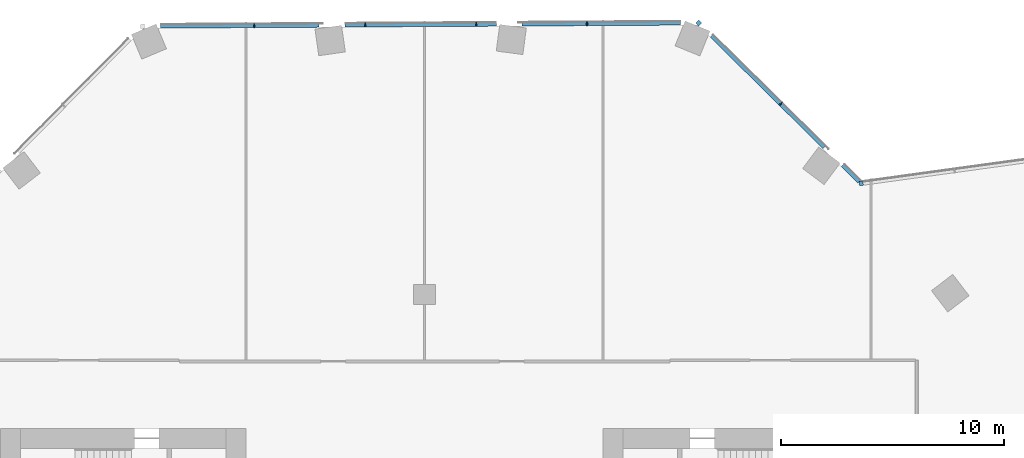
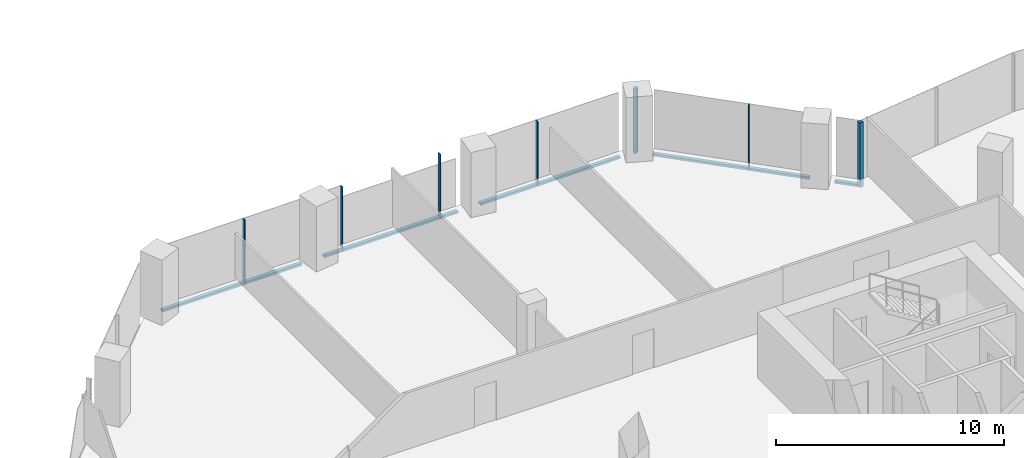
# One storey, part 10 of 27: 12 members, 3 elements without a shape of their own.
"""IFC4 building model written with IfcOpenShell, lengths in metres."""

from ifc_helpers import new_model, si_unit, direction, frame, origin, origin_2d, place, context, subcontext, project, spatial, rectangle, extrude, material, material_profile, profile_set, type_object, element, aggregate, save


model = new_model("IFC4")

# Units and contexts
model_context = context("Model", 3, precision=1e-05, world=origin(), true_north=direction((0.0, 1.0)))
body_context = subcontext(model_context, "Body", "Model", "MODEL_VIEW")
ifc_project = project(units=[si_unit("LENGTHUNIT", "METRE"), si_unit("AREAUNIT", "SQUARE_METRE"), si_unit("VOLUMEUNIT", "CUBIC_METRE"), si_unit("PLANEANGLEUNIT", "RADIAN"), si_unit("MASSUNIT", "GRAM", prefix="KILO")], contexts=[model_context])

# Site, building, storey
site_placement = place(None, origin())
site = spatial("IfcSite", under=ifc_project, at=site_placement, CompositionType="ELEMENT")
building_placement = place(site_placement, origin())
building = spatial("IfcBuilding", under=site, at=building_placement, Name="Orlundy Tower", CompositionType="ELEMENT")
storey_placement = place(building_placement, frame((0.0, 0.0, 202.60009765625)))
storey = spatial("IfcBuildingStorey", under=building, at=storey_placement, Name="L53", CompositionType="ELEMENT", Elevation=202.60009765625)

# Curtain wall, member
ifc_material_1 = material(Name="Aluminium bronze anodised", Category="aluminium")
curtain_wall_type = type_object("IfcCurtainWallType", Name="CW1 wall", PredefinedType="NOTDEFINED", material=ifc_material_1)
curtain_wall_1_placement = place(storey_placement, origin())
curtain_wall_1 = element("IfcCurtainWall", 1, at=curtain_wall_1_placement, inside=storey, type_object=curtain_wall_type, Name="CW1 run 05", PredefinedType="NOTDEFINED")
ifc_material_2 = material(Name="Aluminium bronze anodised", Category="aluminium")
ifc_material_profile_1 = material_profile(ifc_material_2, rectangle(XDim=0.179931640625, YDim=0.179931640625, at=origin_2d()), Name="CW1 corner post 180x180")
ifc_profile_set_1 = profile_set([ifc_material_profile_1], Name="Aluminium bronze anodised")
member_type_1 = type_object("IfcMemberType", Name="CW1 corner post 180x180", PredefinedType="MULLION", material=ifc_profile_set_1)
member_1_placement = place(storey_placement, frame((12.288818359375, 30.162109375, -0.420166015625), z_axis=(0.0, 0.0, 1.0), x_axis=(0.702991811789, 0.711197941896, 0.0)))
member_1 = element("IfcMember", 2, at=member_1_placement, type_object=member_type_1, Name="CW1 mullion 24", PredefinedType="MULLION", context=body_context, shape_type="SweptSolid", body=[
    extrude(rectangle(XDim=0.179931640625, YDim=0.179931640625, at=origin_2d()), origin(), (0.0, 0.0, 1.0), 3.469970703125),
])

curtain_wall_2_placement = place(storey_placement, origin())
curtain_wall_2 = element("IfcCurtainWall", 3, at=curtain_wall_2_placement, inside=storey, type_object=curtain_wall_type, Name="CW1 run 06", PredefinedType="NOTDEFINED")
member_2_placement = place(storey_placement, frame((19.563720703125, 22.97119140625, -0.420166015625), z_axis=(0.0, 0.0, 1.0), x_axis=(-0.136185270904, 0.990683386349, 0.0)))
member_2 = element("IfcMember", 4, at=member_2_placement, type_object=member_type_1, Name="CW1 mullion 26", PredefinedType="MULLION", context=body_context, shape_type="SweptSolid", body=[
    extrude(rectangle(XDim=0.179931640625, YDim=0.179931640625, at=origin_2d()), origin(), (0.0, 0.0, 1.0), 3.469970703125),
])
aggregate(curtain_wall_2, [member_2])

# Curtain wall, members
curtain_wall_3_placement = place(storey_placement, origin())
curtain_wall_3 = element("IfcCurtainWall", 5, at=curtain_wall_3_placement, inside=storey, type_object=curtain_wall_type, Name="CW1 run 04", PredefinedType="NOTDEFINED")
ifc_material_3 = material(Name="Aluminium bronze anodised", Category="aluminium")
ifc_material_profile_2 = material_profile(ifc_material_3, rectangle(XDim=0.179931640625, YDim=0.050048828125, at=origin_2d()), Name="CW1 mullion 50x180")
ifc_profile_set_2 = profile_set([ifc_material_profile_2], Name="Aluminium bronze anodised")
member_type_2 = type_object("IfcMemberType", Name="CW1 mullion 50x180", PredefinedType="MULLION", material=ifc_profile_set_2)
member_3_placement = place(storey_placement, frame((-7.630859375, 30.0458984375, -0.420166015625), z_axis=(0.0, 0.0, 1.0), x_axis=(-0.005834206419, 0.999982980873, 0.0)))
member_3 = element("IfcMember", 6, at=member_3_placement, type_object=member_type_2, Name="CW1 mullion 20", PredefinedType="MULLION", context=body_context, shape_type="SweptSolid", body=[
    extrude(rectangle(XDim=0.179931640625, YDim=0.050048828125, at=origin_2d()), origin(), (0.0, 0.0, 1.0), 3.469970703125),
])
member_4_placement = place(storey_placement, frame((-2.660400390625, 30.074951171875, -0.420166015625), z_axis=(0.0, 0.0, 1.0), x_axis=(-0.005834206419, 0.999982980873, 0.0)))
member_4 = element("IfcMember", 7, at=member_4_placement, type_object=member_type_2, Name="CW1 mullion 21", PredefinedType="MULLION", context=body_context, shape_type="SweptSolid", body=[
    extrude(rectangle(XDim=0.179931640625, YDim=0.050048828125, at=origin_2d()), origin(), (0.0, 0.0, 1.0), 3.469970703125),
])
member_5_placement = place(storey_placement, frame((2.310302734375, 30.10400390625, -0.420166015625), z_axis=(0.0, 0.0, 1.0), x_axis=(-0.005834206419, 0.999982980873, 0.0)))
member_5 = element("IfcMember", 8, at=member_5_placement, type_object=member_type_2, Name="CW1 mullion 22", PredefinedType="MULLION", context=body_context, shape_type="SweptSolid", body=[
    extrude(rectangle(XDim=0.179931640625, YDim=0.050048828125, at=origin_2d()), origin(), (0.0, 0.0, 1.0), 3.469970703125),
])
member_6_placement = place(storey_placement, frame((7.28076171875, 30.133056640625, -0.420166015625), z_axis=(0.0, 0.0, 1.0), x_axis=(-0.005834206419, 0.999982980873, 0.0)))
member_6 = element("IfcMember", 9, at=member_6_placement, type_object=member_type_2, Name="CW1 mullion 23", PredefinedType="MULLION", context=body_context, shape_type="SweptSolid", body=[
    extrude(rectangle(XDim=0.179931640625, YDim=0.050048828125, at=origin_2d()), origin(), (0.0, 0.0, 1.0), 3.469970703125),
])

# Member
member_7_placement = place(storey_placement, frame((15.955322265625, 26.5380859375, -0.420166015625), z_axis=(0.0, 0.0, 1.0), x_axis=(0.702991811789, 0.711197941896, 0.0)))
member_7 = element("IfcMember", 10, at=member_7_placement, type_object=member_type_2, Name="CW1 mullion 25", PredefinedType="MULLION", context=body_context, shape_type="SweptSolid", body=[
    extrude(rectangle(XDim=0.179931640625, YDim=0.050048828125, at=origin_2d()), origin(), (0.0, 0.0, 1.0), 3.469970703125),
])

ifc_material_4 = material(Name="Aluminium bronze anodised", Category="aluminium")
ifc_material_profile_3 = material_profile(ifc_material_4, rectangle(XDim=0.179931640625, YDim=0.1201171875, at=origin_2d()), Name="CW1 transom 180x120")
ifc_profile_set_3 = profile_set([ifc_material_profile_3], Name="Aluminium bronze anodised")
member_type_3 = type_object("IfcMemberType", Name="CW1 transom 180x120", PredefinedType="USERDEFINED", material=ifc_profile_set_3)
member_8_placement = place(storey_placement, frame((-11.826904296875, 30.021484375, -0.360107421875), z_axis=(0.999982941086, 0.005841021852, 0.0), x_axis=(-0.005841021852, 0.999982941086, 0.0)))
member_8 = element("IfcMember", 11, at=member_8_placement, type_object=member_type_3, Name="CW1 transom", ObjectType="TRANSOM", PredefinedType="USERDEFINED", context=body_context, shape_type="SweptSolid", body=[
    extrude(rectangle(XDim=0.179931640625, YDim=0.1201171875, at=origin_2d()), origin(), (0.0, 0.0, 1.0), 7.10546875),
])

member_9_placement = place(storey_placement, frame((-3.572265625, 30.069580078125, -0.360107421875), z_axis=(0.999982848282, 0.005856888404, 0.0), x_axis=(-0.005856888404, 0.999982848282, 0.0)))
member_9 = element("IfcMember", 12, at=member_9_placement, type_object=member_type_3, Name="CW1 transom", ObjectType="TRANSOM", PredefinedType="USERDEFINED", context=body_context, shape_type="SweptSolid", body=[
    extrude(rectangle(XDim=0.179931640625, YDim=0.1201171875, at=origin_2d()), origin(), (0.0, 0.0, 1.0), 6.79443359375),
])

member_10_placement = place(storey_placement, frame((4.36865234375, 30.115966796875, -0.360107421875), z_axis=(0.999982956315, 0.005838414073, 0.0), x_axis=(-0.005838414073, 0.999982956315, 0.0)))
member_10 = element("IfcMember", 13, at=member_10_placement, type_object=member_type_3, Name="CW1 transom", ObjectType="TRANSOM", PredefinedType="USERDEFINED", context=body_context, shape_type="SweptSolid", body=[
    extrude(rectangle(XDim=0.179931640625, YDim=0.1201171875, at=origin_2d()), origin(), (0.0, 0.0, 1.0), 7.108642578125),
])

aggregate(curtain_wall_3, [member_3, member_4, member_5, member_6, member_8, member_9, member_10])

member_11_placement = place(storey_placement, frame((12.8662109375, 29.59130859375, -0.360107421875), z_axis=(0.711199791426, -0.702989940665, 0.0), x_axis=(0.702989940665, 0.711199791426, 0.0)))
member_11 = element("IfcMember", 14, at=member_11_placement, type_object=member_type_3, Name="CW1 transom", ObjectType="TRANSOM", PredefinedType="USERDEFINED", context=body_context, shape_type="SweptSolid", body=[
    extrude(rectangle(XDim=0.179931640625, YDim=0.1201171875, at=origin_2d()), origin(), (0.0, 0.0, 1.0), 7.107177734375),
])

member_12_placement = place(storey_placement, frame((18.73681640625, 23.78857421875, -0.360107421875), z_axis=(0.711167511721, -0.703022595848, 0.0), x_axis=(0.703022595848, 0.711167511721, 0.0)))
member_12 = element("IfcMember", 15, at=member_12_placement, type_object=member_type_3, Name="CW1 transom", ObjectType="TRANSOM", PredefinedType="USERDEFINED", context=body_context, shape_type="SweptSolid", body=[
    extrude(rectangle(XDim=0.179931640625, YDim=0.1201171875, at=origin_2d()), origin(), (0.0, 0.0, 1.0), 1.049072265625),
])

aggregate(curtain_wall_1, [member_1, member_7, member_11, member_12])

save(model, "model.ifc")
